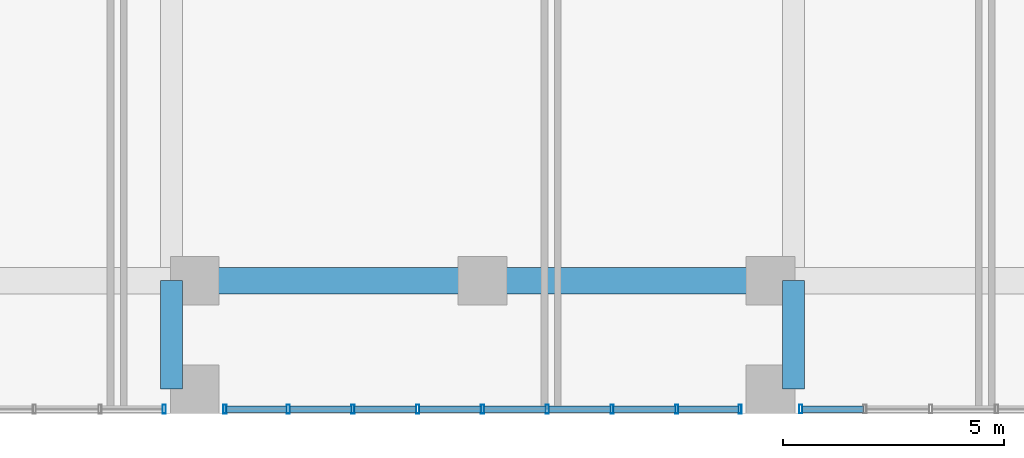
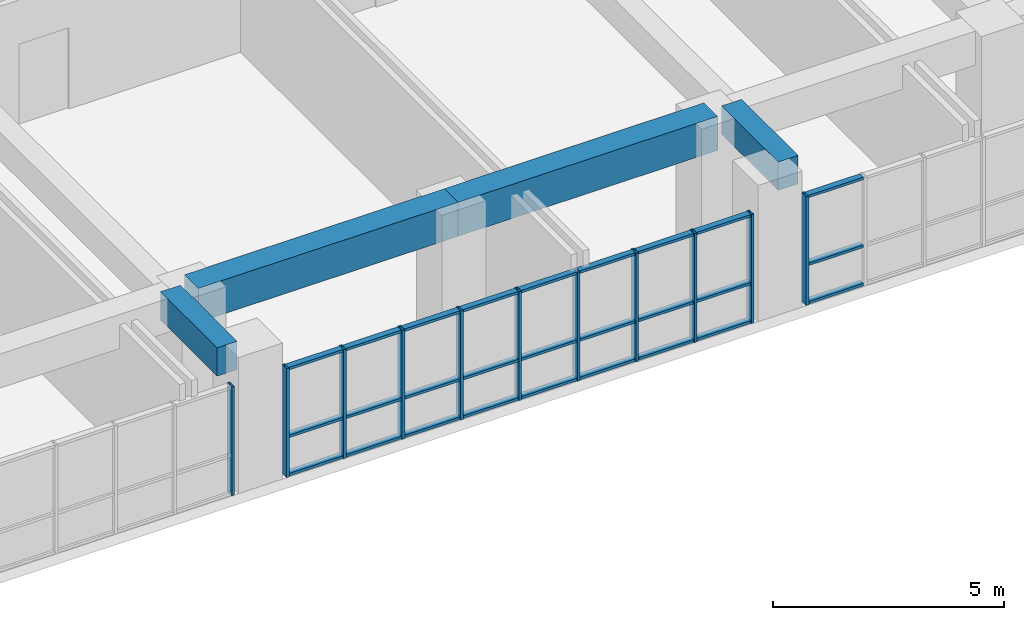
# One storey, part 4 of 27: 38 members, 4 beams, 3 elements without a shape of their own.
"""IFC4 building model written with IfcOpenShell, lengths in metres."""

from ifc_helpers import new_model, si_unit, direction, frame, origin, origin_2d, place, context, subcontext, project, spatial, rectangle, hollow_rectangle, extrude, source, transform, mapped, material, layer, layer_set, material_profile, profile_set, type_object, element, aggregate, save


model = new_model("IFC4")

# Units and contexts
model_context = context("Model", 3, precision=1e-05, world=origin(), true_north=direction((0.0, 1.0)))
body_context = subcontext(model_context, "Body", "Model", "MODEL_VIEW")
ifc_project = project(units=[si_unit("LENGTHUNIT", "METRE"), si_unit("AREAUNIT", "SQUARE_METRE"), si_unit("VOLUMEUNIT", "CUBIC_METRE"), si_unit("PLANEANGLEUNIT", "RADIAN"), si_unit("MASSUNIT", "GRAM", prefix="KILO")], contexts=[model_context])

# Site, building, storey
site_placement = place(None, origin())
site = spatial("IfcSite", under=ifc_project, at=site_placement, CompositionType="ELEMENT")
building_placement = place(site_placement, origin())
building = spatial("IfcBuilding", under=site, at=building_placement, Name="Saelheon Loggia Tower", CompositionType="ELEMENT")
storey_placement = place(building_placement, frame((0.0, 0.0, 4.199951171875)))
storey = spatial("IfcBuildingStorey", under=building, at=storey_placement, Name="L01", CompositionType="ELEMENT", Elevation=4.199951171875)

# Beams
ifc_material_1 = material(Name="Concrete C50/60", Category="concrete")
ifc_material_profile_1 = material_profile(ifc_material_1, rectangle(XDim=0.60009765625, YDim=0.89990234375, at=origin_2d()), Name="RC-600x900")
ifc_profile_set_1 = profile_set([ifc_material_profile_1], Name="Concrete C50/60")
beam_type_1 = type_object("IfcBeamType", Name="Beam_MainGirder_RC600x900", PredefinedType="BEAM", material=ifc_profile_set_1)
shared_shape_1 = source(origin(), body_context, "Body", "SweptSolid", [
    extrude(rectangle(XDim=0.60009765625, YDim=0.89990234375, at=origin_2d()), origin(), (0.0, 0.0, 1.0), 6.5),
])
for number, where, z_axis, x_axis, name in (
    (1, (31.5, 3.0, 3.150146484375), (1.0, 0.0, 0.0), (0.0, 1.0, 0.0), "BM-L01-EW-3-4"),
    (2, (38.0, 3.0, 3.150146484375), (1.0, 0.0, 0.0), (0.0, 1.0, 0.0), "BM-L01-EW-3-5"),
):
    element("IfcBeam", number, at=place(storey_placement, frame(where, z_axis=z_axis, x_axis=x_axis)), inside=storey, type_object=beam_type_1, Name=name, PredefinedType="BEAM", context=body_context, shape_type="MappedRepresentation", body=[
        mapped(shared_shape_1, transform((0.0, 0.0, 0.0), scale=1.0)),
    ])
ifc_material_2 = material(Name="Concrete C45/55", Category="concrete")
ifc_material_profile_2 = material_profile(ifc_material_2, rectangle(XDim=0.5, YDim=0.75, at=origin_2d()), Name="RC-500x750")
ifc_profile_set_2 = profile_set([ifc_material_profile_2], Name="Concrete C45/55")
beam_type_2 = type_object("IfcBeamType", Name="Beam_FloorGirder_RC500x750", PredefinedType="BEAM", material=ifc_profile_set_2)
shared_shape_2 = source(origin(), body_context, "Body", "SweptSolid", [
    extrude(rectangle(XDim=0.5, YDim=0.75, at=origin_2d()), origin(), (0.0, 0.0, 1.0), 2.449951171875),
])
for number, where, z_axis, x_axis, name in (
    (3, (30.97998046875, 0.550048828125, 3.22509765625), (0.0, 1.0, 0.0), (-1.0, 0.0, 0.0), "BM-L01-NS-30-1"),
    (4, (45.02001953125, 0.550048828125, 3.22509765625), (0.0, 1.0, 0.0), (-1.0, 0.0, 0.0), "BM-L01-NS-45-1"),
):
    element("IfcBeam", number, at=place(storey_placement, frame(where, z_axis=z_axis, x_axis=x_axis)), inside=storey, type_object=beam_type_2, Name=name, PredefinedType="BEAM", context=body_context, shape_type="MappedRepresentation", body=[
        mapped(shared_shape_2, transform((0.0, 0.0, 0.0), scale=1.0)),
    ])

# Curtain wall, member
ifc_material_3 = material(Name="Aluminium 6063-T6 and Low-E IGU", Category="aluminium")
ifc_layer = layer(ifc_material_3, 0.179931640625)
ifc_layer_set = layer_set([ifc_layer], Name="Aluminium 6063-T6 and Low-E IGU")
curtain_wall_type = type_object("IfcCurtainWallType", Name="CW_PodiumClinic", PredefinedType="NOTDEFINED", material=ifc_layer_set)
curtain_wall_1_placement = place(storey_placement, origin())
curtain_wall_1 = element("IfcCurtainWall", 5, at=curtain_wall_1_placement, inside=storey, type_object=curtain_wall_type, Name="L01 South Clinic Curtain Wall 1", PredefinedType="NOTDEFINED")
ifc_material_4 = material(Name="Anodised Aluminium 6063-T6", Category="aluminium")
ifc_material_profile_3 = material_profile(ifc_material_4, hollow_rectangle(XDim=0.070068359375, YDim=0.199951171875, WallThickness=0.0048828125, at=origin_2d()), Name="RHS-200x70x5")
ifc_profile_set_3 = profile_set([ifc_material_profile_3], Name="Anodised Aluminium 6063-T6")
member_type_1 = type_object("IfcMemberType", Name="CW_PodiumClinic_Mullion", PredefinedType="MULLION", material=ifc_profile_set_3)
shared_shape_3 = source(origin(), body_context, "Body", "SweptSolid", [
    extrude(hollow_rectangle(XDim=0.070068359375, YDim=0.199951171875, WallThickness=0.0048828125, at=origin_2d()), origin(), (0.0, 0.0, 1.0), 2.880126953125),
])
member_1_placement = place(storey_placement, frame((30.81494140625, 0.10009765625, 0.0), z_axis=(0.0, 0.0, 1.0), x_axis=(1.0, 0.0, 0.0)))
member_1 = element("IfcMember", 6, at=member_1_placement, type_object=member_type_1, Name="CW1 mullion 11", PredefinedType="MULLION", context=body_context, shape_type="MappedRepresentation", body=[
    mapped(shared_shape_3, transform((0.0, 0.0, 0.0), scale=1.0)),
])
aggregate(curtain_wall_1, [member_1])

# Curtain wall, members
curtain_wall_2_placement = place(storey_placement, origin())
curtain_wall_2 = element("IfcCurtainWall", 7, at=curtain_wall_2_placement, inside=storey, type_object=curtain_wall_type, Name="L01 South Clinic Curtain Wall 2", PredefinedType="NOTDEFINED")
member_2_placement = place(storey_placement, frame((32.18505859375, 0.10009765625, 0.0), z_axis=(0.0, 0.0, 1.0), x_axis=(1.0, 0.0, 0.0)))
member_2 = element("IfcMember", 8, at=member_2_placement, type_object=member_type_1, Name="CW1 mullion 1", PredefinedType="MULLION", context=body_context, shape_type="MappedRepresentation", body=[
    mapped(shared_shape_3, transform((0.0, 0.0, 0.0), scale=1.0)),
])
member_3_placement = place(storey_placement, frame((33.612548828125, 0.10009765625, 0.0), z_axis=(0.0, 0.0, 1.0), x_axis=(1.0, 0.0, 0.0)))
member_3 = element("IfcMember", 9, at=member_3_placement, type_object=member_type_1, Name="CW1 mullion 2", PredefinedType="MULLION", context=body_context, shape_type="MappedRepresentation", body=[
    mapped(shared_shape_3, transform((0.0, 0.0, 0.0), scale=1.0)),
])
member_4_placement = place(storey_placement, frame((35.074951171875, 0.10009765625, 0.0), z_axis=(0.0, 0.0, 1.0), x_axis=(1.0, 0.0, 0.0)))
member_4 = element("IfcMember", 10, at=member_4_placement, type_object=member_type_1, Name="CW1 mullion 3", PredefinedType="MULLION", context=body_context, shape_type="MappedRepresentation", body=[
    mapped(shared_shape_3, transform((0.0, 0.0, 0.0), scale=1.0)),
])
member_5_placement = place(storey_placement, frame((36.53759765625, 0.10009765625, 0.0), z_axis=(0.0, 0.0, 1.0), x_axis=(1.0, 0.0, 0.0)))
member_5 = element("IfcMember", 11, at=member_5_placement, type_object=member_type_1, Name="CW1 mullion 4", PredefinedType="MULLION", context=body_context, shape_type="MappedRepresentation", body=[
    mapped(shared_shape_3, transform((0.0, 0.0, 0.0), scale=1.0)),
])
member_6_placement = place(storey_placement, frame((38.0, 0.10009765625, 0.0), z_axis=(0.0, 0.0, 1.0), x_axis=(1.0, 0.0, 0.0)))
member_6 = element("IfcMember", 12, at=member_6_placement, type_object=member_type_1, Name="CW1 mullion 5", PredefinedType="MULLION", context=body_context, shape_type="MappedRepresentation", body=[
    mapped(shared_shape_3, transform((0.0, 0.0, 0.0), scale=1.0)),
])
member_7_placement = place(storey_placement, frame((39.46240234375, 0.10009765625, 0.0), z_axis=(0.0, 0.0, 1.0), x_axis=(1.0, 0.0, 0.0)))
member_7 = element("IfcMember", 13, at=member_7_placement, type_object=member_type_1, Name="CW1 mullion 6", PredefinedType="MULLION", context=body_context, shape_type="MappedRepresentation", body=[
    mapped(shared_shape_3, transform((0.0, 0.0, 0.0), scale=1.0)),
])
member_8_placement = place(storey_placement, frame((40.925048828125, 0.10009765625, 0.0), z_axis=(0.0, 0.0, 1.0), x_axis=(1.0, 0.0, 0.0)))
member_8 = element("IfcMember", 14, at=member_8_placement, type_object=member_type_1, Name="CW1 mullion 7", PredefinedType="MULLION", context=body_context, shape_type="MappedRepresentation", body=[
    mapped(shared_shape_3, transform((0.0, 0.0, 0.0), scale=1.0)),
])
member_9_placement = place(storey_placement, frame((42.387451171875, 0.10009765625, 0.0), z_axis=(0.0, 0.0, 1.0), x_axis=(1.0, 0.0, 0.0)))
member_9 = element("IfcMember", 15, at=member_9_placement, type_object=member_type_1, Name="CW1 mullion 8", PredefinedType="MULLION", context=body_context, shape_type="MappedRepresentation", body=[
    mapped(shared_shape_3, transform((0.0, 0.0, 0.0), scale=1.0)),
])
member_10_placement = place(storey_placement, frame((43.81494140625, 0.10009765625, 0.0), z_axis=(0.0, 0.0, 1.0), x_axis=(1.0, 0.0, 0.0)))
member_10 = element("IfcMember", 16, at=member_10_placement, type_object=member_type_1, Name="CW1 mullion 9", PredefinedType="MULLION", context=body_context, shape_type="MappedRepresentation", body=[
    mapped(shared_shape_3, transform((0.0, 0.0, 0.0), scale=1.0)),
])

curtain_wall_3_placement = place(storey_placement, origin())
curtain_wall_3 = element("IfcCurtainWall", 17, at=curtain_wall_3_placement, inside=storey, type_object=curtain_wall_type, Name="L01 South Clinic Curtain Wall 3", PredefinedType="NOTDEFINED")
member_11_placement = place(storey_placement, frame((45.18505859375, 0.10009765625, 0.0), z_axis=(0.0, 0.0, 1.0), x_axis=(1.0, 0.0, 0.0)))
member_11 = element("IfcMember", 18, at=member_11_placement, type_object=member_type_1, Name="CW1 mullion 1", PredefinedType="MULLION", context=body_context, shape_type="MappedRepresentation", body=[
    mapped(shared_shape_3, transform((0.0, 0.0, 0.0), scale=1.0)),
])
ifc_material_profile_4 = material_profile(ifc_material_4, hollow_rectangle(XDim=0.070068359375, YDim=0.14990234375, WallThickness=0.0048828125, at=origin_2d()), Name="RHS-150x70x5")
ifc_profile_set_4 = profile_set([ifc_material_profile_4], Name="Anodised Aluminium 6063-T6")
member_type_2 = type_object("IfcMemberType", Name="CW_PodiumClinic_Transom", PredefinedType="USERDEFINED", material=ifc_profile_set_4)
shared_shape_4 = source(origin(), body_context, "Body", "SweptSolid", [
    extrude(hollow_rectangle(XDim=0.070068359375, YDim=0.14990234375, WallThickness=0.0048828125, at=origin_2d()), origin(), (0.0, 0.0, 1.0), 1.380126953125),
])
member_12_placement = place(storey_placement, frame((45.219970703125, 0.10009765625, 0.03515625), z_axis=(1.0, 0.0, 0.0), x_axis=(0.0, 0.0, 1.0)))
member_12 = element("IfcMember", 19, at=member_12_placement, type_object=member_type_2, Name="CW1 transom 1.1", ObjectType="TRANSOM", PredefinedType="USERDEFINED", context=body_context, shape_type="MappedRepresentation", body=[
    mapped(shared_shape_4, transform((0.0, 0.0, 0.0), scale=1.0)),
])
member_13_placement = place(storey_placement, frame((45.219970703125, 0.10009765625, 1.050048828125), z_axis=(1.0, 0.0, 0.0), x_axis=(0.0, 0.0, 1.0)))
member_13 = element("IfcMember", 20, at=member_13_placement, type_object=member_type_2, Name="CW1 transom 1.2", ObjectType="TRANSOM", PredefinedType="USERDEFINED", context=body_context, shape_type="MappedRepresentation", body=[
    mapped(shared_shape_4, transform((0.0, 0.0, 0.0), scale=1.0)),
])
member_14_placement = place(storey_placement, frame((45.219970703125, 0.10009765625, 2.844970703125), z_axis=(1.0, 0.0, 0.0), x_axis=(0.0, 0.0, 1.0)))
member_14 = element("IfcMember", 21, at=member_14_placement, type_object=member_type_2, Name="CW1 transom 1.3", ObjectType="TRANSOM", PredefinedType="USERDEFINED", context=body_context, shape_type="MappedRepresentation", body=[
    mapped(shared_shape_4, transform((0.0, 0.0, 0.0), scale=1.0)),
])
aggregate(curtain_wall_3, [member_11, member_12, member_13, member_14])

# Member
shared_shape_5 = source(origin(), body_context, "Body", "SweptSolid", [
    extrude(hollow_rectangle(XDim=0.070068359375, YDim=0.14990234375, WallThickness=0.0048828125, at=origin_2d()), origin(), (0.0, 0.0, 1.0), 1.357421875),
])
member_15_placement = place(storey_placement, frame((32.219970703125, 0.10009765625, 0.03515625), z_axis=(1.0, 0.0, 0.0), x_axis=(0.0, 0.0, 1.0)))
member_15 = element("IfcMember", 22, at=member_15_placement, type_object=member_type_2, Name="CW1 transom 1.1", ObjectType="TRANSOM", PredefinedType="USERDEFINED", context=body_context, shape_type="MappedRepresentation", body=[
    mapped(shared_shape_5, transform((0.0, 0.0, 0.0), scale=1.0)),
])

member_16_placement = place(storey_placement, frame((32.219970703125, 0.10009765625, 1.050048828125), z_axis=(1.0, 0.0, 0.0), x_axis=(0.0, 0.0, 1.0)))
member_16 = element("IfcMember", 23, at=member_16_placement, type_object=member_type_2, Name="CW1 transom 1.2", ObjectType="TRANSOM", PredefinedType="USERDEFINED", context=body_context, shape_type="MappedRepresentation", body=[
    mapped(shared_shape_5, transform((0.0, 0.0, 0.0), scale=1.0)),
])

member_17_placement = place(storey_placement, frame((32.219970703125, 0.10009765625, 2.844970703125), z_axis=(1.0, 0.0, 0.0), x_axis=(0.0, 0.0, 1.0)))
member_17 = element("IfcMember", 24, at=member_17_placement, type_object=member_type_2, Name="CW1 transom 1.3", ObjectType="TRANSOM", PredefinedType="USERDEFINED", context=body_context, shape_type="MappedRepresentation", body=[
    mapped(shared_shape_5, transform((0.0, 0.0, 0.0), scale=1.0)),
])

member_18_placement = place(storey_placement, frame((42.422607421875, 0.10009765625, 0.03515625), z_axis=(1.0, 0.0, 0.0), x_axis=(0.0, 0.0, 1.0)))
member_18 = element("IfcMember", 25, at=member_18_placement, type_object=member_type_2, Name="CW1 transom 8.1", ObjectType="TRANSOM", PredefinedType="USERDEFINED", context=body_context, shape_type="MappedRepresentation", body=[
    mapped(shared_shape_5, transform((0.0, 0.0, 0.0), scale=1.0)),
])

member_19_placement = place(storey_placement, frame((42.422607421875, 0.10009765625, 1.050048828125), z_axis=(1.0, 0.0, 0.0), x_axis=(0.0, 0.0, 1.0)))
member_19 = element("IfcMember", 26, at=member_19_placement, type_object=member_type_2, Name="CW1 transom 8.2", ObjectType="TRANSOM", PredefinedType="USERDEFINED", context=body_context, shape_type="MappedRepresentation", body=[
    mapped(shared_shape_5, transform((0.0, 0.0, 0.0), scale=1.0)),
])

member_20_placement = place(storey_placement, frame((42.422607421875, 0.10009765625, 2.844970703125), z_axis=(1.0, 0.0, 0.0), x_axis=(0.0, 0.0, 1.0)))
member_20 = element("IfcMember", 27, at=member_20_placement, type_object=member_type_2, Name="CW1 transom 8.3", ObjectType="TRANSOM", PredefinedType="USERDEFINED", context=body_context, shape_type="MappedRepresentation", body=[
    mapped(shared_shape_5, transform((0.0, 0.0, 0.0), scale=1.0)),
])

shared_shape_6 = source(origin(), body_context, "Body", "SweptSolid", [
    extrude(hollow_rectangle(XDim=0.070068359375, YDim=0.14990234375, WallThickness=0.0048828125, at=origin_2d()), origin(), (0.0, 0.0, 1.0), 1.392578125),
])
member_21_placement = place(storey_placement, frame((33.6474609375, 0.10009765625, 0.03515625), z_axis=(1.0, 0.0, 0.0), x_axis=(0.0, 0.0, 1.0)))
member_21 = element("IfcMember", 28, at=member_21_placement, type_object=member_type_2, Name="CW1 transom 2.1", ObjectType="TRANSOM", PredefinedType="USERDEFINED", context=body_context, shape_type="MappedRepresentation", body=[
    mapped(shared_shape_6, transform((0.0, 0.0, 0.0), scale=1.0)),
])

member_22_placement = place(storey_placement, frame((33.6474609375, 0.10009765625, 1.050048828125), z_axis=(1.0, 0.0, 0.0), x_axis=(0.0, 0.0, 1.0)))
member_22 = element("IfcMember", 29, at=member_22_placement, type_object=member_type_2, Name="CW1 transom 2.2", ObjectType="TRANSOM", PredefinedType="USERDEFINED", context=body_context, shape_type="MappedRepresentation", body=[
    mapped(shared_shape_6, transform((0.0, 0.0, 0.0), scale=1.0)),
])

member_23_placement = place(storey_placement, frame((33.6474609375, 0.10009765625, 2.844970703125), z_axis=(1.0, 0.0, 0.0), x_axis=(0.0, 0.0, 1.0)))
member_23 = element("IfcMember", 30, at=member_23_placement, type_object=member_type_2, Name="CW1 transom 2.3", ObjectType="TRANSOM", PredefinedType="USERDEFINED", context=body_context, shape_type="MappedRepresentation", body=[
    mapped(shared_shape_6, transform((0.0, 0.0, 0.0), scale=1.0)),
])

member_24_placement = place(storey_placement, frame((36.572509765625, 0.10009765625, 0.03515625), z_axis=(1.0, 0.0, 0.0), x_axis=(0.0, 0.0, 1.0)))
member_24 = element("IfcMember", 31, at=member_24_placement, type_object=member_type_2, Name="CW1 transom 4.1", ObjectType="TRANSOM", PredefinedType="USERDEFINED", context=body_context, shape_type="MappedRepresentation", body=[
    mapped(shared_shape_6, transform((0.0, 0.0, 0.0), scale=1.0)),
])

member_25_placement = place(storey_placement, frame((36.572509765625, 0.10009765625, 1.050048828125), z_axis=(1.0, 0.0, 0.0), x_axis=(0.0, 0.0, 1.0)))
member_25 = element("IfcMember", 32, at=member_25_placement, type_object=member_type_2, Name="CW1 transom 4.2", ObjectType="TRANSOM", PredefinedType="USERDEFINED", context=body_context, shape_type="MappedRepresentation", body=[
    mapped(shared_shape_6, transform((0.0, 0.0, 0.0), scale=1.0)),
])

member_26_placement = place(storey_placement, frame((36.572509765625, 0.10009765625, 2.844970703125), z_axis=(1.0, 0.0, 0.0), x_axis=(0.0, 0.0, 1.0)))
member_26 = element("IfcMember", 33, at=member_26_placement, type_object=member_type_2, Name="CW1 transom 4.3", ObjectType="TRANSOM", PredefinedType="USERDEFINED", context=body_context, shape_type="MappedRepresentation", body=[
    mapped(shared_shape_6, transform((0.0, 0.0, 0.0), scale=1.0)),
])

member_27_placement = place(storey_placement, frame((38.034912109375, 0.10009765625, 0.03515625), z_axis=(1.0, 0.0, 0.0), x_axis=(0.0, 0.0, 1.0)))
member_27 = element("IfcMember", 34, at=member_27_placement, type_object=member_type_2, Name="CW1 transom 5.1", ObjectType="TRANSOM", PredefinedType="USERDEFINED", context=body_context, shape_type="MappedRepresentation", body=[
    mapped(shared_shape_6, transform((0.0, 0.0, 0.0), scale=1.0)),
])

member_28_placement = place(storey_placement, frame((38.034912109375, 0.10009765625, 1.050048828125), z_axis=(1.0, 0.0, 0.0), x_axis=(0.0, 0.0, 1.0)))
member_28 = element("IfcMember", 35, at=member_28_placement, type_object=member_type_2, Name="CW1 transom 5.2", ObjectType="TRANSOM", PredefinedType="USERDEFINED", context=body_context, shape_type="MappedRepresentation", body=[
    mapped(shared_shape_6, transform((0.0, 0.0, 0.0), scale=1.0)),
])

member_29_placement = place(storey_placement, frame((38.034912109375, 0.10009765625, 2.844970703125), z_axis=(1.0, 0.0, 0.0), x_axis=(0.0, 0.0, 1.0)))
member_29 = element("IfcMember", 36, at=member_29_placement, type_object=member_type_2, Name="CW1 transom 5.3", ObjectType="TRANSOM", PredefinedType="USERDEFINED", context=body_context, shape_type="MappedRepresentation", body=[
    mapped(shared_shape_6, transform((0.0, 0.0, 0.0), scale=1.0)),
])

member_30_placement = place(storey_placement, frame((40.9599609375, 0.10009765625, 0.03515625), z_axis=(1.0, 0.0, 0.0), x_axis=(0.0, 0.0, 1.0)))
member_30 = element("IfcMember", 37, at=member_30_placement, type_object=member_type_2, Name="CW1 transom 7.1", ObjectType="TRANSOM", PredefinedType="USERDEFINED", context=body_context, shape_type="MappedRepresentation", body=[
    mapped(shared_shape_6, transform((0.0, 0.0, 0.0), scale=1.0)),
])

member_31_placement = place(storey_placement, frame((40.9599609375, 0.10009765625, 1.050048828125), z_axis=(1.0, 0.0, 0.0), x_axis=(0.0, 0.0, 1.0)))
member_31 = element("IfcMember", 38, at=member_31_placement, type_object=member_type_2, Name="CW1 transom 7.2", ObjectType="TRANSOM", PredefinedType="USERDEFINED", context=body_context, shape_type="MappedRepresentation", body=[
    mapped(shared_shape_6, transform((0.0, 0.0, 0.0), scale=1.0)),
])

member_32_placement = place(storey_placement, frame((40.9599609375, 0.10009765625, 2.844970703125), z_axis=(1.0, 0.0, 0.0), x_axis=(0.0, 0.0, 1.0)))
member_32 = element("IfcMember", 39, at=member_32_placement, type_object=member_type_2, Name="CW1 transom 7.3", ObjectType="TRANSOM", PredefinedType="USERDEFINED", context=body_context, shape_type="MappedRepresentation", body=[
    mapped(shared_shape_6, transform((0.0, 0.0, 0.0), scale=1.0)),
])

shared_shape_7 = source(origin(), body_context, "Body", "SweptSolid", [
    extrude(hollow_rectangle(XDim=0.070068359375, YDim=0.14990234375, WallThickness=0.0048828125, at=origin_2d()), origin(), (0.0, 0.0, 1.0), 1.392333984375),
])
member_33_placement = place(storey_placement, frame((35.110107421875, 0.10009765625, 0.03515625), z_axis=(1.0, 0.0, 0.0), x_axis=(0.0, 0.0, 1.0)))
member_33 = element("IfcMember", 40, at=member_33_placement, type_object=member_type_2, Name="CW1 transom 3.1", ObjectType="TRANSOM", PredefinedType="USERDEFINED", context=body_context, shape_type="MappedRepresentation", body=[
    mapped(shared_shape_7, transform((0.0, 0.0, 0.0), scale=1.0)),
])

member_34_placement = place(storey_placement, frame((35.110107421875, 0.10009765625, 1.050048828125), z_axis=(1.0, 0.0, 0.0), x_axis=(0.0, 0.0, 1.0)))
member_34 = element("IfcMember", 41, at=member_34_placement, type_object=member_type_2, Name="CW1 transom 3.2", ObjectType="TRANSOM", PredefinedType="USERDEFINED", context=body_context, shape_type="MappedRepresentation", body=[
    mapped(shared_shape_7, transform((0.0, 0.0, 0.0), scale=1.0)),
])

member_35_placement = place(storey_placement, frame((35.110107421875, 0.10009765625, 2.844970703125), z_axis=(1.0, 0.0, 0.0), x_axis=(0.0, 0.0, 1.0)))
member_35 = element("IfcMember", 42, at=member_35_placement, type_object=member_type_2, Name="CW1 transom 3.3", ObjectType="TRANSOM", PredefinedType="USERDEFINED", context=body_context, shape_type="MappedRepresentation", body=[
    mapped(shared_shape_7, transform((0.0, 0.0, 0.0), scale=1.0)),
])

member_36_placement = place(storey_placement, frame((39.49755859375, 0.10009765625, 0.03515625), z_axis=(1.0, 0.0, 0.0), x_axis=(0.0, 0.0, 1.0)))
member_36 = element("IfcMember", 43, at=member_36_placement, type_object=member_type_2, Name="CW1 transom 6.1", ObjectType="TRANSOM", PredefinedType="USERDEFINED", context=body_context, shape_type="MappedRepresentation", body=[
    mapped(shared_shape_7, transform((0.0, 0.0, 0.0), scale=1.0)),
])

member_37_placement = place(storey_placement, frame((39.49755859375, 0.10009765625, 1.050048828125), z_axis=(1.0, 0.0, 0.0), x_axis=(0.0, 0.0, 1.0)))
member_37 = element("IfcMember", 44, at=member_37_placement, type_object=member_type_2, Name="CW1 transom 6.2", ObjectType="TRANSOM", PredefinedType="USERDEFINED", context=body_context, shape_type="MappedRepresentation", body=[
    mapped(shared_shape_7, transform((0.0, 0.0, 0.0), scale=1.0)),
])

member_38_placement = place(storey_placement, frame((39.49755859375, 0.10009765625, 2.844970703125), z_axis=(1.0, 0.0, 0.0), x_axis=(0.0, 0.0, 1.0)))
member_38 = element("IfcMember", 45, at=member_38_placement, type_object=member_type_2, Name="CW1 transom 6.3", ObjectType="TRANSOM", PredefinedType="USERDEFINED", context=body_context, shape_type="MappedRepresentation", body=[
    mapped(shared_shape_7, transform((0.0, 0.0, 0.0), scale=1.0)),
])

aggregate(curtain_wall_2, [member_2, member_3, member_4, member_5, member_6, member_7, member_8, member_9, member_10, member_15, member_16, member_17, member_21, member_22, member_23, member_33, member_34, member_35, member_24, member_25, member_26, member_27, member_28, member_29, member_36, member_37, member_38, member_30, member_31, member_32, member_18, member_19, member_20])

save(model, "model.ifc")
